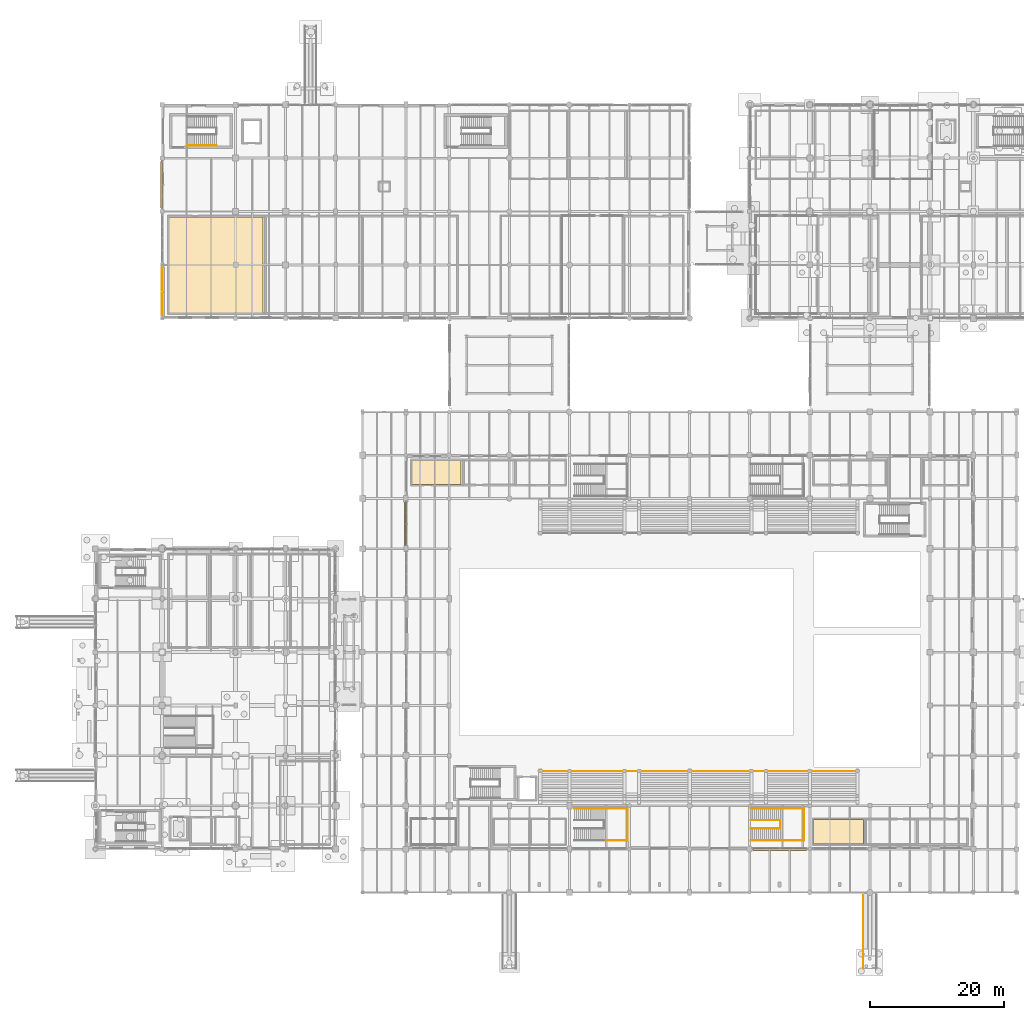
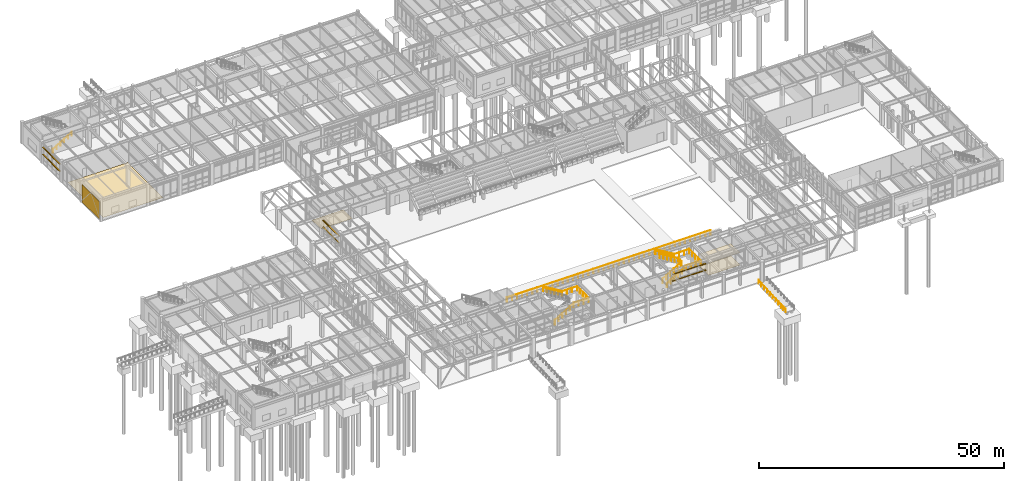
# One storey, part 196 of 203: 9 railings, 6 shading devices, 5 coverings.
"""IFC4 building model written with IfcOpenShell, lengths in metres."""

from ifc_helpers import new_model, si_unit, direction, frame, origin, origin_2d, place, context, subcontext, project, spatial, polyline, rectangle, circle, outline, extrude, material, layer, layer_set, type_object, element, save


model = new_model("IFC4")

# Units and contexts
model_context = context("Model", 3, precision=1e-05, world=origin(), true_north=direction((0.0, 1.0)))
body_context = subcontext(model_context, "Body", "Model", "MODEL_VIEW")
ifc_project = project(units=[si_unit("LENGTHUNIT", "METRE"), si_unit("AREAUNIT", "SQUARE_METRE"), si_unit("VOLUMEUNIT", "CUBIC_METRE"), si_unit("PLANEANGLEUNIT", "RADIAN"), si_unit("MASSUNIT", "GRAM", prefix="KILO"), si_unit("THERMODYNAMICTEMPERATUREUNIT", "KELVIN"), si_unit("POWERUNIT", "WATT")], contexts=[model_context])

# Site, building, storey
site_placement = place(None, origin())
site = spatial("IfcSite", under=ifc_project, at=site_placement, CompositionType="ELEMENT")
building_placement = place(site_placement, origin())
building = spatial("IfcBuilding", under=site, at=building_placement, Name="Tepalcoro Natatorium and Aquatics Centre", CompositionType="ELEMENT")
storey_placement = place(building_placement, origin())
storey = spatial("IfcBuildingStorey", under=building, at=storey_placement, Name="L00", CompositionType="ELEMENT", Elevation=0.0)

# Railing
ifc_material_1 = material(Name="Marine-Grade Brushed Stainless Steel AISI 316L", Category="steel")
railing_type_1 = type_object("IfcRailingType", Name="BL_GLASS_1100", PredefinedType="BALUSTRADE", material=ifc_material_1)
railing_1_placement = place(storey_placement, frame((66.449951171875, 18.14990234375, 1.199951171875)))
element("IfcRailing", 1, at=railing_1_placement, inside=storey, type_object=railing_type_1, Name="Spectator Stand Front Pool-Deck Sightline Guard S", PredefinedType="BALUSTRADE", context=body_context, shape_type="SweptSolid", body=[
    extrude(circle(Radius=0.02392578125, at=origin_2d()), frame((0.0, 0.0, 1.09619140625), z_axis=(1.0, 0.0, 0.0), x_axis=(0.0, 1.0, 0.0)), (0.0, 0.0, 1.0), 47.900146484375),
    extrude(circle(Radius=0.02099609375, at=origin_2d()), origin(), (0.0, 0.0, 1.0), 1.072021484375),
    extrude(circle(Radius=0.02099609375, at=origin_2d()), frame((1.197509765625, 0.0, 0.0)), (0.0, 0.0, 1.0), 1.072021484375),
    extrude(circle(Radius=0.02099609375, at=origin_2d()), frame((2.39501953125, 0.0, 0.0)), (0.0, 0.0, 1.0), 1.072021484375),
    extrude(circle(Radius=0.02099609375, at=origin_2d()), frame((3.592529296875, 0.0, 0.0)), (0.0, 0.0, 1.0), 1.072021484375),
    extrude(circle(Radius=0.02099609375, at=origin_2d()), frame((4.7900390625, 0.0, 0.0)), (0.0, 0.0, 1.0), 1.072021484375),
    extrude(circle(Radius=0.02099609375, at=origin_2d()), frame((5.987548828125, 0.0, 0.0)), (0.0, 0.0, 1.0), 1.072021484375),
    extrude(circle(Radius=0.02099609375, at=origin_2d()), frame((7.18505859375, 0.0, 0.0)), (0.0, 0.0, 1.0), 1.072021484375),
    extrude(circle(Radius=0.02099609375, at=origin_2d()), frame((8.382568359375, 0.0, 0.0)), (0.0, 0.0, 1.0), 1.072021484375),
    extrude(circle(Radius=0.02099609375, at=origin_2d()), frame((9.580078125, 0.0, 0.0)), (0.0, 0.0, 1.0), 1.072021484375),
    extrude(circle(Radius=0.02099609375, at=origin_2d()), frame((10.777587890625, 0.0, 0.0)), (0.0, 0.0, 1.0), 1.072021484375),
    extrude(circle(Radius=0.02099609375, at=origin_2d()), frame((11.97509765625, 0.0, 0.0)), (0.0, 0.0, 1.0), 1.072021484375),
    extrude(circle(Radius=0.02099609375, at=origin_2d()), frame((13.172607421875, 0.0, 0.0)), (0.0, 0.0, 1.0), 1.072021484375),
    extrude(circle(Radius=0.02099609375, at=origin_2d()), frame((14.3701171875, 0.0, 0.0)), (0.0, 0.0, 1.0), 1.072021484375),
    extrude(circle(Radius=0.02099609375, at=origin_2d()), frame((15.567626953125, 0.0, 0.0)), (0.0, 0.0, 1.0), 1.072021484375),
    extrude(circle(Radius=0.02099609375, at=origin_2d()), frame((16.76513671875, 0.0, 0.0)), (0.0, 0.0, 1.0), 1.072021484375),
    extrude(circle(Radius=0.02099609375, at=origin_2d()), frame((17.962646484375, 0.0, 0.0)), (0.0, 0.0, 1.0), 1.072021484375),
    extrude(circle(Radius=0.02099609375, at=origin_2d()), frame((19.16015625, 0.0, 0.0)), (0.0, 0.0, 1.0), 1.072021484375),
    extrude(circle(Radius=0.02099609375, at=origin_2d()), frame((20.357666015625, 0.0, 0.0)), (0.0, 0.0, 1.0), 1.072021484375),
    extrude(circle(Radius=0.02099609375, at=origin_2d()), frame((21.55517578125, 0.0, 0.0)), (0.0, 0.0, 1.0), 1.072021484375),
    extrude(circle(Radius=0.02099609375, at=origin_2d()), frame((22.752685546875, 0.0, 0.0)), (0.0, 0.0, 1.0), 1.072021484375),
    extrude(circle(Radius=0.02099609375, at=origin_2d()), frame((23.9501953125, 0.0, 0.0)), (0.0, 0.0, 1.0), 1.072021484375),
    extrude(circle(Radius=0.02099609375, at=origin_2d()), frame((25.1474609375, 0.0, 0.0)), (0.0, 0.0, 1.0), 1.072021484375),
    extrude(circle(Radius=0.02099609375, at=origin_2d()), frame((26.344970703125, 0.0, 0.0)), (0.0, 0.0, 1.0), 1.072021484375),
    extrude(circle(Radius=0.02099609375, at=origin_2d()), frame((27.54248046875, 0.0, 0.0)), (0.0, 0.0, 1.0), 1.072021484375),
    extrude(circle(Radius=0.02099609375, at=origin_2d()), frame((28.739990234375, 0.0, 0.0)), (0.0, 0.0, 1.0), 1.072021484375),
    extrude(circle(Radius=0.02099609375, at=origin_2d()), frame((29.9375, 0.0, 0.0)), (0.0, 0.0, 1.0), 1.072021484375),
    extrude(circle(Radius=0.02099609375, at=origin_2d()), frame((31.135009765625, 0.0, 0.0)), (0.0, 0.0, 1.0), 1.072021484375),
    extrude(circle(Radius=0.02099609375, at=origin_2d()), frame((32.33251953125, 0.0, 0.0)), (0.0, 0.0, 1.0), 1.072021484375),
    extrude(circle(Radius=0.02099609375, at=origin_2d()), frame((33.530029296875, 0.0, 0.0)), (0.0, 0.0, 1.0), 1.072021484375),
    extrude(circle(Radius=0.02099609375, at=origin_2d()), frame((34.7275390625, 0.0, 0.0)), (0.0, 0.0, 1.0), 1.072021484375),
    extrude(circle(Radius=0.02099609375, at=origin_2d()), frame((35.925048828125, 0.0, 0.0)), (0.0, 0.0, 1.0), 1.072021484375),
    extrude(circle(Radius=0.02099609375, at=origin_2d()), frame((37.12255859375, 0.0, 0.0)), (0.0, 0.0, 1.0), 1.072021484375),
    extrude(circle(Radius=0.02099609375, at=origin_2d()), frame((38.320068359375, 0.0, 0.0)), (0.0, 0.0, 1.0), 1.072021484375),
    extrude(circle(Radius=0.02099609375, at=origin_2d()), frame((39.517578125, 0.0, 0.0)), (0.0, 0.0, 1.0), 1.072021484375),
    extrude(circle(Radius=0.02099609375, at=origin_2d()), frame((40.715087890625, 0.0, 0.0)), (0.0, 0.0, 1.0), 1.072021484375),
    extrude(circle(Radius=0.02099609375, at=origin_2d()), frame((41.91259765625, 0.0, 0.0)), (0.0, 0.0, 1.0), 1.072021484375),
    extrude(circle(Radius=0.02099609375, at=origin_2d()), frame((43.110107421875, 0.0, 0.0)), (0.0, 0.0, 1.0), 1.072021484375),
    extrude(circle(Radius=0.02099609375, at=origin_2d()), frame((44.3076171875, 0.0, 0.0)), (0.0, 0.0, 1.0), 1.072021484375),
    extrude(circle(Radius=0.02099609375, at=origin_2d()), frame((45.505126953125, 0.0, 0.0)), (0.0, 0.0, 1.0), 1.072021484375),
    extrude(circle(Radius=0.02099609375, at=origin_2d()), frame((46.70263671875, 0.0, 0.0)), (0.0, 0.0, 1.0), 1.072021484375),
    extrude(circle(Radius=0.02099609375, at=origin_2d()), frame((47.900146484375, 0.0, 0.0)), (0.0, 0.0, 1.0), 1.072021484375),
])

# Coverings
ifc_material_2 = material(Name="Jalisco Cantera Rosa Volcanic Tuff Ashlar Masonry", Category="masonry")
ifc_layer_1 = layer(ifc_material_2, 0.06005859375)
ifc_layer_set_1 = layer_set([ifc_layer_1], Name="Jalisco Cantera Rosa Volcanic Tuff Ashlar Masonry")
covering_type_1 = type_object("IfcCoveringType", Name="CD_CANTERA_60", PredefinedType="CLADDING", material=ifc_layer_set_1)
covering_1_placement = place(storey_placement, frame((9.97509765625, 90.0048828125, 0.10009765625), z_axis=(0.0, 0.0, 1.0), x_axis=(1.0, 0.0, 0.0)))
element("IfcCovering", 2, at=covering_1_placement, inside=storey, type_object=covering_type_1, Name="Volcanic Stone Facade Cladding CD_CANTERA_60", PredefinedType="CLADDING", context=body_context, shape_type="SweptSolid", body=[
    extrude(rectangle(XDim=0.06005859375, YDim=7.132080078125, at=origin_2d()), origin(), (0.0, 0.0, 1.0), 4.39404296875),
])
ifc_material_3 = material(Name="Perforated Corrosion-Resistant Acoustic Aluminium Baffle Ceiling", Category="aluminium")
ifc_layer_2 = layer(ifc_material_3, 0.0400390625)
ifc_layer_set_2 = layer_set([ifc_layer_2], Name="Perforated Corrosion-Resistant Acoustic Aluminium Baffle Ceiling")
covering_type_2 = type_object("IfcCoveringType", Name="CL_PERF_AL_40", PredefinedType="CEILING", material=ifc_layer_set_2)
covering_2_placement = place(storey_placement, frame((0.0, 0.0, 3.050048828125)))
element("IfcCovering", 3, at=covering_2_placement, inside=storey, type_object=covering_type_2, Name="Doping Control Chaperone & Sample Collection Suite Suspended Ceiling", PredefinedType="CEILING", context=body_context, shape_type="SweptSolid", body=[
    extrude(outline(polyline([(107.580078125, 7.239990234375), (107.580078125, 10.9599609375), (115.02001953125, 10.9599609375), (115.02001953125, 7.239990234375), (107.580078125, 7.239990234375)])), origin(), (0.0, 0.0, 1.0), 0.0400390625),
])
ifc_material_4 = material(Name="Chemical-Resistant Quartz-Broadcast Epoxy Flooring")
ifc_layer_3 = layer(ifc_material_4, 0.008056640625)
ifc_layer_set_3 = layer_set([ifc_layer_3], Name="Chemical-Resistant Quartz-Broadcast Epoxy Flooring")
covering_type_3 = type_object("IfcCoveringType", Name="FL_EPOXY_8", PredefinedType="FLOORING", material=ifc_layer_set_3)
covering_3_placement = place(storey_placement, origin())
element("IfcCovering", 4, at=covering_3_placement, inside=storey, type_object=covering_type_3, Name="Doping Control Chaperone & Sample Collection Suite Floor Finish", PredefinedType="FLOORING", context=body_context, shape_type="SweptSolid", body=[
    extrude(outline(polyline([(107.580078125, 7.239990234375), (107.580078125, 10.9599609375), (115.02001953125, 10.9599609375), (115.02001953125, 7.239990234375), (107.580078125, 7.239990234375)])), origin(), (0.0, 0.0, 1.0), 0.008056640625),
])
covering_4_placement = place(storey_placement, origin())
element("IfcCovering", 5, at=covering_4_placement, inside=storey, type_object=covering_type_3, Name="Community Male Wet Changing & Showers Floor Finish", PredefinedType="FLOORING", context=body_context, shape_type="SweptSolid", body=[
    extrude(outline(polyline([(11.030029296875, 86.7900390625), (11.030029296875, 101.2099609375), (25.10302734375, 101.2099609375), (25.10302734375, 86.7900390625), (11.030029296875, 86.7900390625)])), origin(), (0.0, 0.0, 1.0), 0.008056640625),
])
ifc_material_5 = material(Name="Slip-Resistant Porcelain Aquatic Deck Tile")
ifc_layer_4 = layer(ifc_material_5, 0.01806640625)
ifc_layer_set_4 = layer_set([ifc_layer_4], Name="Slip-Resistant Porcelain Aquatic Deck Tile")
covering_type_4 = type_object("IfcCoveringType", Name="FL_TILE_18", PredefinedType="FLOORING", material=ifc_layer_set_4)
covering_5_placement = place(storey_placement, origin())
element("IfcCovering", 6, at=covering_5_placement, inside=storey, type_object=covering_type_4, Name="Team Wet Changing Village West & Lockers Floor Finish", PredefinedType="FLOORING", context=body_context, shape_type="SweptSolid", body=[
    extrude(outline(polyline([(47.429931640625, 61.090087890625), (47.429931640625, 64.7099609375), (54.77001953125, 64.7099609375), (54.77001953125, 61.090087890625), (47.429931640625, 61.090087890625)])), origin(), (0.0, 0.0, 1.0), 0.01806640625),
])

# Railings
ifc_material_6 = material(Name="Bronze-Anodised Extruded Aluminium Alloy EN AW-6063 T6", Category="aluminium")
railing_type_2 = type_object("IfcRailingType", Name="RL_HAND_900_BRZ", PredefinedType="HANDRAIL", material=ifc_material_6)
for number, where, name in (
    (7, (13.699951171875, 111.8798828125, 0.0), "ST07-L00 Wall Handrail F1"),
    (8, (98.159912109375, 7.830078125, 0.0), "ST22 Wall Handrail F1"),
):
    element("IfcRailing", number, at=place(storey_placement, frame(where)), inside=storey, type_object=railing_type_2, Name=name, PredefinedType="HANDRAIL", context=body_context, shape_type="SweptSolid", body=[
        extrude(circle(Radius=0.02392578125, at=origin_2d()), frame((0.0, 0.0, 0.8759765625), z_axis=(0.853646024003, 0.0, 0.520853593349), x_axis=(0.0, 1.0, 0.0)), (0.0, 0.0, 1.0), 5.18359375),
        extrude(circle(Radius=0.02099609375, at=origin_2d()), origin(), (0.0, 0.0, 1.0), 0.851806640625),
        extrude(circle(Radius=0.02099609375, at=origin_2d()), frame((0.885009765625, 0.0, 0.5400390625)), (0.0, 0.0, 1.0), 0.851806640625),
        extrude(circle(Radius=0.02099609375, at=origin_2d()), frame((1.77001953125, 0.0, 1.080078125)), (0.0, 0.0, 1.0), 0.851806640625),
        extrude(circle(Radius=0.02099609375, at=origin_2d()), frame((2.655029296875, 0.0, 1.619873046875)), (0.0, 0.0, 1.0), 0.851806640625),
        extrude(circle(Radius=0.02099609375, at=origin_2d()), frame((3.5400390625, 0.0, 2.159912109375)), (0.0, 0.0, 1.0), 0.851806640625),
        extrude(circle(Radius=0.02099609375, at=origin_2d()), frame((4.425048828125, 0.0, 2.699951171875)), (0.0, 0.0, 1.0), 0.851806640625),
    ])
railing_2_placement = place(storey_placement, frame((102.5849609375, 12.570068359375, 2.699951171875)))
element("IfcRailing", 9, at=railing_2_placement, inside=storey, type_object=railing_type_2, Name="ST22 Wall Handrail F2", PredefinedType="HANDRAIL", context=body_context, shape_type="SweptSolid", body=[
    extrude(circle(Radius=0.02392578125, at=origin_2d()), frame((0.0, 0.0, 0.8759765625), z_axis=(-0.853646024003, 0.0, 0.520853593349), x_axis=(0.0, -1.0, 0.0)), (0.0, 0.0, 1.0), 5.18359375),
    extrude(circle(Radius=0.02099609375, at=origin_2d()), origin(), (0.0, 0.0, 1.0), 0.851806640625),
    extrude(circle(Radius=0.02099609375, at=origin_2d()), frame((-0.885009765625, 0.0, 0.5400390625)), (0.0, 0.0, 1.0), 0.851806640625),
    extrude(circle(Radius=0.02099609375, at=origin_2d()), frame((-1.77001953125, 0.0, 1.080078125)), (0.0, 0.0, 1.0), 0.851806640625),
    extrude(circle(Radius=0.02099609375, at=origin_2d()), frame((-2.655029296875, 0.0, 1.619873046875)), (0.0, 0.0, 1.0), 0.851806640625),
    extrude(circle(Radius=0.02099609375, at=origin_2d()), frame((-3.5400390625, 0.0, 2.159912109375)), (0.0, 0.0, 1.0), 0.851806640625),
    extrude(circle(Radius=0.02099609375, at=origin_2d()), frame((-4.425048828125, 0.0, 2.699951171875)), (0.0, 0.0, 1.0), 0.851806640625),
])
railing_3_placement = place(storey_placement, frame((115.010009765625, -11.39990234375, -0.47998046875)))
element("IfcRailing", 10, at=railing_3_placement, inside=storey, type_object=railing_type_2, Name="RMP04 Accessible Ramp Handrail R", PredefinedType="HANDRAIL", context=body_context, shape_type="SweptSolid", body=[
    extrude(circle(Radius=0.02392578125, at=origin_2d()), frame((0.0, 0.0, 0.8759765625), z_axis=(0.0, 1.0, 0.0), x_axis=(-1.0, 0.0, 0.0)), (0.0, 0.0, 1.0), 1.7998046875),
    extrude(circle(Radius=0.02392578125, at=origin_2d()), frame((0.0, 1.7998046875, 0.8759765625), z_axis=(0.0, 0.998662223161, 0.051708452218), x_axis=(-1.0, 0.0, 0.0)), (0.0, 0.0, 1.0), 9.282470703125),
    extrude(circle(Radius=0.02099609375, at=origin_2d()), origin(), (0.0, 0.0, 1.0), 0.851806640625),
    extrude(circle(Radius=0.02099609375, at=origin_2d()), frame((0.0, 0.89990234375, 0.0)), (0.0, 0.0, 1.0), 0.851806640625),
    extrude(circle(Radius=0.02099609375, at=origin_2d()), frame((0.0, 1.7998046875, 0.0)), (0.0, 0.0, 1.0), 0.851806640625),
    extrude(circle(Radius=0.02099609375, at=origin_2d()), frame((0.0, 2.95849609375, 0.06005859375)), (0.0, 0.0, 1.0), 0.851806640625),
    extrude(circle(Radius=0.02099609375, at=origin_2d()), frame((0.0, 4.1171875, 0.1201171875)), (0.0, 0.0, 1.0), 0.851806640625),
    extrude(circle(Radius=0.02099609375, at=origin_2d()), frame((0.0, 5.276123046875, 0.179931640625)), (0.0, 0.0, 1.0), 0.851806640625),
    extrude(circle(Radius=0.02099609375, at=origin_2d()), frame((0.0, 6.434814453125, 0.239990234375)), (0.0, 0.0, 1.0), 0.851806640625),
    extrude(circle(Radius=0.02099609375, at=origin_2d()), frame((0.0, 7.593505859375, 0.300048828125)), (0.0, 0.0, 1.0), 0.851806640625),
    extrude(circle(Radius=0.02099609375, at=origin_2d()), frame((0.0, 8.75244140625, 0.35986328125)), (0.0, 0.0, 1.0), 0.851806640625),
    extrude(circle(Radius=0.02099609375, at=origin_2d()), frame((0.0, 9.9111328125, 0.419921875)), (0.0, 0.0, 1.0), 0.851806640625),
    extrude(circle(Radius=0.02099609375, at=origin_2d()), frame((0.0, 11.06982421875, 0.47998046875)), (0.0, 0.0, 1.0), 0.851806640625),
])
railing_type_3 = type_object("IfcRailingType", Name="RL_HAND_920_SS", PredefinedType="HANDRAIL", material=ifc_material_1)
railing_4_placement = place(storey_placement, frame((76.18505859375, 12.570068359375, 2.699951171875)))
element("IfcRailing", 11, at=railing_4_placement, inside=storey, type_object=railing_type_3, Name="ST21 Wall Handrail F2", PredefinedType="HANDRAIL", context=body_context, shape_type="SweptSolid", body=[
    extrude(circle(Radius=0.02392578125, at=origin_2d()), frame((0.0, 0.0, 0.89599609375), z_axis=(-0.853646024003, 0.0, 0.520853593349), x_axis=(0.0, -1.0, 0.0)), (0.0, 0.0, 1.0), 5.18359375),
    extrude(circle(Radius=0.02099609375, at=origin_2d()), origin(), (0.0, 0.0, 1.0), 0.871826171875),
    extrude(circle(Radius=0.02099609375, at=origin_2d()), frame((-0.885009765625, 0.0, 0.5400390625)), (0.0, 0.0, 1.0), 0.871826171875),
    extrude(circle(Radius=0.02099609375, at=origin_2d()), frame((-1.77001953125, 0.0, 1.080078125)), (0.0, 0.0, 1.0), 0.871826171875),
    extrude(circle(Radius=0.02099609375, at=origin_2d()), frame((-2.655029296875, 0.0, 1.619873046875)), (0.0, 0.0, 1.0), 0.871826171875),
    extrude(circle(Radius=0.02099609375, at=origin_2d()), frame((-3.5400390625, 0.0, 2.159912109375)), (0.0, 0.0, 1.0), 0.871826171875),
    extrude(circle(Radius=0.02099609375, at=origin_2d()), frame((-4.425048828125, 0.0, 2.699951171875)), (0.0, 0.0, 1.0), 0.871826171875),
])
railing_type_4 = type_object("IfcRailingType", Name="RL_PERF_1100", PredefinedType="GUARDRAIL", material=ifc_material_1)
railing_5_placement = place(storey_placement, frame((71.760009765625, 7.81005859375, 0.0)))
element("IfcRailing", 12, at=railing_5_placement, inside=storey, type_object=railing_type_4, Name="ST21 Feature Stair Outer Guardrail", PredefinedType="GUARDRAIL", context=body_context, shape_type="SweptSolid", body=[
    extrude(circle(Radius=0.02392578125, at=origin_2d()), frame((0.0, 0.0, 1.11572265625), z_axis=(0.853646024003, 0.0, 0.520853593349), x_axis=(0.0, 1.0, 0.0)), (0.0, 0.0, 1.0), 5.18359375),
    extrude(circle(Radius=0.02392578125, at=origin_2d()), frame((4.425048828125, 0.0, 3.81591796875), z_axis=(1.0, 0.0, 0.0), x_axis=(0.0, 1.0, 0.0)), (0.0, 0.0, 1.0), 3.554931640625),
    extrude(circle(Radius=0.02392578125, at=origin_2d()), frame((7.97998046875, 0.0, 3.81591796875), z_axis=(0.0, 1.0, 0.0), x_axis=(-1.0, 0.0, 0.0)), (0.0, 0.0, 1.0), 4.780029296875),
    extrude(circle(Radius=0.02392578125, at=origin_2d()), frame((7.97998046875, 4.780029296875, 3.81591796875), z_axis=(-1.0, 0.0, 0.0), x_axis=(0.0, -1.0, 0.0)), (0.0, 0.0, 1.0), 3.554931640625),
    extrude(circle(Radius=0.02392578125, at=origin_2d()), frame((4.425048828125, 4.780029296875, 3.81591796875), z_axis=(-0.853646024003, 0.0, 0.520853593349), x_axis=(0.0, -1.0, 0.0)), (0.0, 0.0, 1.0), 5.18359375),
    extrude(circle(Radius=0.02099609375, at=origin_2d()), origin(), (0.0, 0.0, 1.0), 1.091796875),
    extrude(circle(Radius=0.02099609375, at=origin_2d()), frame((0.885009765625, 0.0, 0.5400390625)), (0.0, 0.0, 1.0), 1.091796875),
    extrude(circle(Radius=0.02099609375, at=origin_2d()), frame((1.77001953125, 0.0, 1.080078125)), (0.0, 0.0, 1.0), 1.091796875),
    extrude(circle(Radius=0.02099609375, at=origin_2d()), frame((2.655029296875, 0.0, 1.619873046875)), (0.0, 0.0, 1.0), 1.091796875),
    extrude(circle(Radius=0.02099609375, at=origin_2d()), frame((3.5400390625, 0.0, 2.159912109375)), (0.0, 0.0, 1.0), 1.091796875),
    extrude(circle(Radius=0.02099609375, at=origin_2d()), frame((4.425048828125, 0.0, 2.699951171875)), (0.0, 0.0, 1.0), 1.091796875),
    extrude(circle(Radius=0.02099609375, at=origin_2d()), frame((5.610107421875, 0.0, 2.699951171875)), (0.0, 0.0, 1.0), 1.091796875),
    extrude(circle(Radius=0.02099609375, at=origin_2d()), frame((6.794921875, 0.0, 2.699951171875)), (0.0, 0.0, 1.0), 1.091796875),
    extrude(circle(Radius=0.02099609375, at=origin_2d()), frame((7.97998046875, 0.0, 2.699951171875)), (0.0, 0.0, 1.0), 1.091796875),
    extrude(circle(Radius=0.02099609375, at=origin_2d()), frame((7.97998046875, 1.195068359375, 2.699951171875)), (0.0, 0.0, 1.0), 1.091796875),
    extrude(circle(Radius=0.02099609375, at=origin_2d()), frame((7.97998046875, 2.39013671875, 2.699951171875)), (0.0, 0.0, 1.0), 1.091796875),
    extrude(circle(Radius=0.02099609375, at=origin_2d()), frame((7.97998046875, 3.5849609375, 2.699951171875)), (0.0, 0.0, 1.0), 1.091796875),
    extrude(circle(Radius=0.02099609375, at=origin_2d()), frame((7.97998046875, 4.780029296875, 2.699951171875)), (0.0, 0.0, 1.0), 1.091796875),
    extrude(circle(Radius=0.02099609375, at=origin_2d()), frame((6.794921875, 4.780029296875, 2.699951171875)), (0.0, 0.0, 1.0), 1.091796875),
    extrude(circle(Radius=0.02099609375, at=origin_2d()), frame((5.610107421875, 4.780029296875, 2.699951171875)), (0.0, 0.0, 1.0), 1.091796875),
    extrude(circle(Radius=0.02099609375, at=origin_2d()), frame((4.425048828125, 4.780029296875, 2.699951171875)), (0.0, 0.0, 1.0), 1.091796875),
    extrude(circle(Radius=0.02099609375, at=origin_2d()), frame((3.5400390625, 4.780029296875, 3.239990234375)), (0.0, 0.0, 1.0), 1.091796875),
    extrude(circle(Radius=0.02099609375, at=origin_2d()), frame((2.655029296875, 4.780029296875, 3.780029296875)), (0.0, 0.0, 1.0), 1.091796875),
    extrude(circle(Radius=0.02099609375, at=origin_2d()), frame((1.77001953125, 4.780029296875, 4.31982421875)), (0.0, 0.0, 1.0), 1.091796875),
    extrude(circle(Radius=0.02099609375, at=origin_2d()), frame((0.885009765625, 4.780029296875, 4.85986328125)), (0.0, 0.0, 1.0), 1.091796875),
    extrude(circle(Radius=0.02099609375, at=origin_2d()), frame((0.0, 4.780029296875, 5.39990234375)), (0.0, 0.0, 1.0), 1.091796875),
])
ifc_material_7 = material(Name="Hollow Steel ASTM A500 Grade C (Fy 345 MPa)", Category="steel")
railing_type_5 = type_object("IfcRailingType", Name="RL_STEEL_1100", PredefinedType="GUARDRAIL", material=ifc_material_7)
railing_6_placement = place(storey_placement, frame((98.159912109375, 9.570068359375, 0.0)))
element("IfcRailing", 13, at=railing_6_placement, inside=storey, type_object=railing_type_5, Name="ST22 Inner Stairwell Guardrail", PredefinedType="GUARDRAIL", context=body_context, shape_type="SweptSolid", body=[
    extrude(circle(Radius=0.02392578125, at=origin_2d()), frame((0.0, 0.0, 1.1259765625), z_axis=(0.853646024003, 0.0, 0.520853593349), x_axis=(0.0, 1.0, 0.0)), (0.0, 0.0, 1.0), 5.18359375),
    extrude(circle(Radius=0.02392578125, at=origin_2d()), frame((4.425048828125, 0.0, 3.82568359375), z_axis=(0.0, 1.0, 0.0), x_axis=(-1.0, 0.0, 0.0)), (0.0, 0.0, 1.0), 1.260009765625),
    extrude(circle(Radius=0.02392578125, at=origin_2d()), frame((4.425048828125, 1.260009765625, 3.82568359375), z_axis=(-0.853646024003, 0.0, 0.520853593349), x_axis=(0.0, -1.0, 0.0)), (0.0, 0.0, 1.0), 5.18359375),
    extrude(circle(Radius=0.02099609375, at=origin_2d()), origin(), (0.0, 0.0, 1.0), 1.101806640625),
    extrude(circle(Radius=0.02099609375, at=origin_2d()), frame((0.885009765625, 0.0, 0.5400390625)), (0.0, 0.0, 1.0), 1.101806640625),
    extrude(circle(Radius=0.02099609375, at=origin_2d()), frame((1.77001953125, 0.0, 1.080078125)), (0.0, 0.0, 1.0), 1.101806640625),
    extrude(circle(Radius=0.02099609375, at=origin_2d()), frame((2.655029296875, 0.0, 1.619873046875)), (0.0, 0.0, 1.0), 1.101806640625),
    extrude(circle(Radius=0.02099609375, at=origin_2d()), frame((3.5400390625, 0.0, 2.159912109375)), (0.0, 0.0, 1.0), 1.101806640625),
    extrude(circle(Radius=0.02099609375, at=origin_2d()), frame((4.425048828125, 0.0, 2.699951171875)), (0.0, 0.0, 1.0), 1.101806640625),
    extrude(circle(Radius=0.02099609375, at=origin_2d()), frame((4.425048828125, 0.6298828125, 2.699951171875)), (0.0, 0.0, 1.0), 1.101806640625),
    extrude(circle(Radius=0.02099609375, at=origin_2d()), frame((4.425048828125, 1.260009765625, 2.699951171875)), (0.0, 0.0, 1.0), 1.101806640625),
    extrude(circle(Radius=0.02099609375, at=origin_2d()), frame((3.5400390625, 1.260009765625, 3.239990234375)), (0.0, 0.0, 1.0), 1.101806640625),
    extrude(circle(Radius=0.02099609375, at=origin_2d()), frame((2.655029296875, 1.260009765625, 3.780029296875)), (0.0, 0.0, 1.0), 1.101806640625),
    extrude(circle(Radius=0.02099609375, at=origin_2d()), frame((1.77001953125, 1.260009765625, 4.31982421875)), (0.0, 0.0, 1.0), 1.101806640625),
    extrude(circle(Radius=0.02099609375, at=origin_2d()), frame((0.885009765625, 1.260009765625, 4.85986328125)), (0.0, 0.0, 1.0), 1.101806640625),
    extrude(circle(Radius=0.02099609375, at=origin_2d()), frame((0.0, 1.260009765625, 5.39990234375)), (0.0, 0.0, 1.0), 1.101806640625),
])
railing_7_placement = place(storey_placement, frame((98.159912109375, 7.81005859375, 0.0)))
element("IfcRailing", 14, at=railing_7_placement, inside=storey, type_object=railing_type_5, Name="ST22 Feature Stair Outer Guardrail", PredefinedType="GUARDRAIL", context=body_context, shape_type="SweptSolid", body=[
    extrude(circle(Radius=0.02392578125, at=origin_2d()), frame((0.0, 0.0, 1.1259765625), z_axis=(0.853646024003, 0.0, 0.520853593349), x_axis=(0.0, 1.0, 0.0)), (0.0, 0.0, 1.0), 5.18359375),
    extrude(circle(Radius=0.02392578125, at=origin_2d()), frame((4.425048828125, 0.0, 3.82568359375), z_axis=(1.0, 0.0, 0.0), x_axis=(0.0, 1.0, 0.0)), (0.0, 0.0, 1.0), 3.554931640625),
    extrude(circle(Radius=0.02392578125, at=origin_2d()), frame((7.97998046875, 0.0, 3.82568359375), z_axis=(0.0, 1.0, 0.0), x_axis=(-1.0, 0.0, 0.0)), (0.0, 0.0, 1.0), 4.780029296875),
    extrude(circle(Radius=0.02392578125, at=origin_2d()), frame((7.97998046875, 4.780029296875, 3.82568359375), z_axis=(-1.0, 0.0, 0.0), x_axis=(0.0, -1.0, 0.0)), (0.0, 0.0, 1.0), 3.554931640625),
    extrude(circle(Radius=0.02392578125, at=origin_2d()), frame((4.425048828125, 4.780029296875, 3.82568359375), z_axis=(-0.853646024003, 0.0, 0.520853593349), x_axis=(0.0, -1.0, 0.0)), (0.0, 0.0, 1.0), 5.18359375),
    extrude(circle(Radius=0.02099609375, at=origin_2d()), origin(), (0.0, 0.0, 1.0), 1.101806640625),
    extrude(circle(Radius=0.02099609375, at=origin_2d()), frame((0.885009765625, 0.0, 0.5400390625)), (0.0, 0.0, 1.0), 1.101806640625),
    extrude(circle(Radius=0.02099609375, at=origin_2d()), frame((1.77001953125, 0.0, 1.080078125)), (0.0, 0.0, 1.0), 1.101806640625),
    extrude(circle(Radius=0.02099609375, at=origin_2d()), frame((2.655029296875, 0.0, 1.619873046875)), (0.0, 0.0, 1.0), 1.101806640625),
    extrude(circle(Radius=0.02099609375, at=origin_2d()), frame((3.5400390625, 0.0, 2.159912109375)), (0.0, 0.0, 1.0), 1.101806640625),
    extrude(circle(Radius=0.02099609375, at=origin_2d()), frame((4.425048828125, 0.0, 2.699951171875)), (0.0, 0.0, 1.0), 1.101806640625),
    extrude(circle(Radius=0.02099609375, at=origin_2d()), frame((5.610107421875, 0.0, 2.699951171875)), (0.0, 0.0, 1.0), 1.101806640625),
    extrude(circle(Radius=0.02099609375, at=origin_2d()), frame((6.794921875, 0.0, 2.699951171875)), (0.0, 0.0, 1.0), 1.101806640625),
    extrude(circle(Radius=0.02099609375, at=origin_2d()), frame((7.97998046875, 0.0, 2.699951171875)), (0.0, 0.0, 1.0), 1.101806640625),
    extrude(circle(Radius=0.02099609375, at=origin_2d()), frame((7.97998046875, 1.195068359375, 2.699951171875)), (0.0, 0.0, 1.0), 1.101806640625),
    extrude(circle(Radius=0.02099609375, at=origin_2d()), frame((7.97998046875, 2.39013671875, 2.699951171875)), (0.0, 0.0, 1.0), 1.101806640625),
    extrude(circle(Radius=0.02099609375, at=origin_2d()), frame((7.97998046875, 3.5849609375, 2.699951171875)), (0.0, 0.0, 1.0), 1.101806640625),
    extrude(circle(Radius=0.02099609375, at=origin_2d()), frame((7.97998046875, 4.780029296875, 2.699951171875)), (0.0, 0.0, 1.0), 1.101806640625),
    extrude(circle(Radius=0.02099609375, at=origin_2d()), frame((6.794921875, 4.780029296875, 2.699951171875)), (0.0, 0.0, 1.0), 1.101806640625),
    extrude(circle(Radius=0.02099609375, at=origin_2d()), frame((5.610107421875, 4.780029296875, 2.699951171875)), (0.0, 0.0, 1.0), 1.101806640625),
    extrude(circle(Radius=0.02099609375, at=origin_2d()), frame((4.425048828125, 4.780029296875, 2.699951171875)), (0.0, 0.0, 1.0), 1.101806640625),
    extrude(circle(Radius=0.02099609375, at=origin_2d()), frame((3.5400390625, 4.780029296875, 3.239990234375)), (0.0, 0.0, 1.0), 1.101806640625),
    extrude(circle(Radius=0.02099609375, at=origin_2d()), frame((2.655029296875, 4.780029296875, 3.780029296875)), (0.0, 0.0, 1.0), 1.101806640625),
    extrude(circle(Radius=0.02099609375, at=origin_2d()), frame((1.77001953125, 4.780029296875, 4.31982421875)), (0.0, 0.0, 1.0), 1.101806640625),
    extrude(circle(Radius=0.02099609375, at=origin_2d()), frame((0.885009765625, 4.780029296875, 4.85986328125)), (0.0, 0.0, 1.0), 1.101806640625),
    extrude(circle(Radius=0.02099609375, at=origin_2d()), frame((0.0, 4.780029296875, 5.39990234375)), (0.0, 0.0, 1.0), 1.101806640625),
])

# Shading devices
shading_device_type_1 = type_object("IfcShadingDeviceType", Name="SHD_FIN_BRONZE", PredefinedType="SHUTTER", material=ifc_material_6)
for number, where, z_axis, x_axis, name in (
    (15, (102.5, 6.425048828125, 2.23876953125), (0.0, 0.0, 1.0), (1.0, 0.0, 0.0), "Solar Shading Brise-Soleil SHD_FIN_BRONZE"),
    (16, (102.5, 6.425048828125, 3.863037109375), (0.0, 0.0, 1.0), (1.0, 0.0, 0.0), "Solar Shading Brise-Soleil SHD_FIN_BRONZE"),
):
    element("IfcShadingDevice", number, at=place(storey_placement, frame(where, z_axis=z_axis, x_axis=x_axis)), inside=storey, type_object=shading_device_type_1, Name=name, PredefinedType="SHUTTER", context=body_context, shape_type="SweptSolid", body=[
        extrude(rectangle(XDim=7.9599609375, YDim=0.300048828125, at=origin_2d()), origin(), (0.0, 0.0, 1.0), 0.080078125),
    ])
for number, where, z_axis, x_axis, name in (
    (17, (9.9150390625, 106.0, 2.357666015625), (0.0, 0.0, 1.0), (1.0, 0.0, 0.0), "Solar Shading Brise-Soleil SHD_FIN_BRONZE"),
    (18, (9.9150390625, 106.0, 4.126953125), (0.0, 0.0, 1.0), (1.0, 0.0, 0.0), "Solar Shading Brise-Soleil SHD_FIN_BRONZE"),
):
    element("IfcShadingDevice", number, at=place(storey_placement, frame(where, z_axis=z_axis, x_axis=x_axis)), inside=storey, type_object=shading_device_type_1, Name=name, PredefinedType="SHUTTER", context=body_context, shape_type="SweptSolid", body=[
        extrude(rectangle(XDim=0.300048828125, YDim=6.9599609375, at=origin_2d()), origin(), (0.0, 0.0, 1.0), 0.080078125),
    ])
shading_device_type_2 = type_object("IfcShadingDeviceType", Name="SHD_LOUVRE_AL", PredefinedType="JALOUSIE", material=ifc_material_6)
for number, where, z_axis, x_axis, name in (
    (19, (46.455078125, 55.25, 2.306396484375), (0.0, 0.0, 1.0), (1.0, 0.0, 0.0), "Solar Shading Brise-Soleil SHD_LOUVRE_AL"),
    (20, (46.455078125, 55.25, 4.012939453125), (0.0, 0.0, 1.0), (1.0, 0.0, 0.0), "Solar Shading Brise-Soleil SHD_LOUVRE_AL"),
):
    element("IfcShadingDevice", number, at=place(storey_placement, frame(where, z_axis=z_axis, x_axis=x_axis)), inside=storey, type_object=shading_device_type_2, Name=name, PredefinedType="JALOUSIE", context=body_context, shape_type="SweptSolid", body=[
        extrude(rectangle(XDim=0.239990234375, YDim=6.4599609375, at=origin_2d()), origin(), (0.0, 0.0, 1.0), 0.080078125),
    ])

save(model, "model.ifc")
